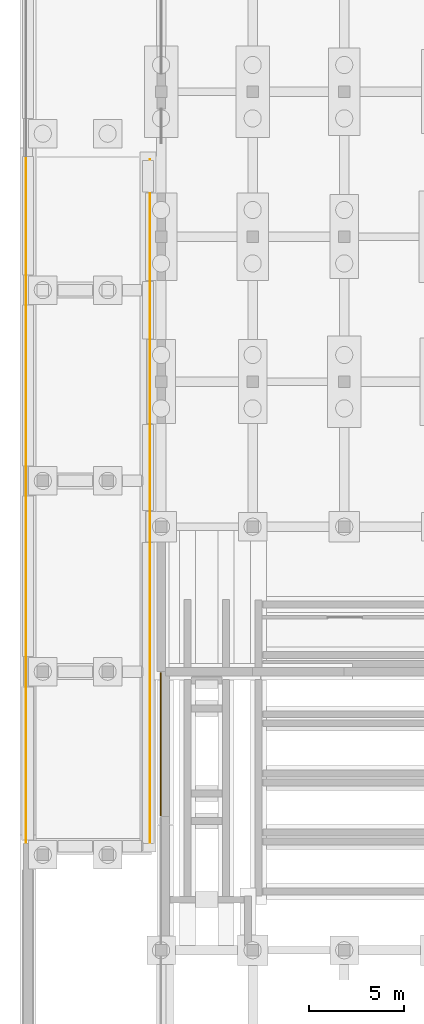
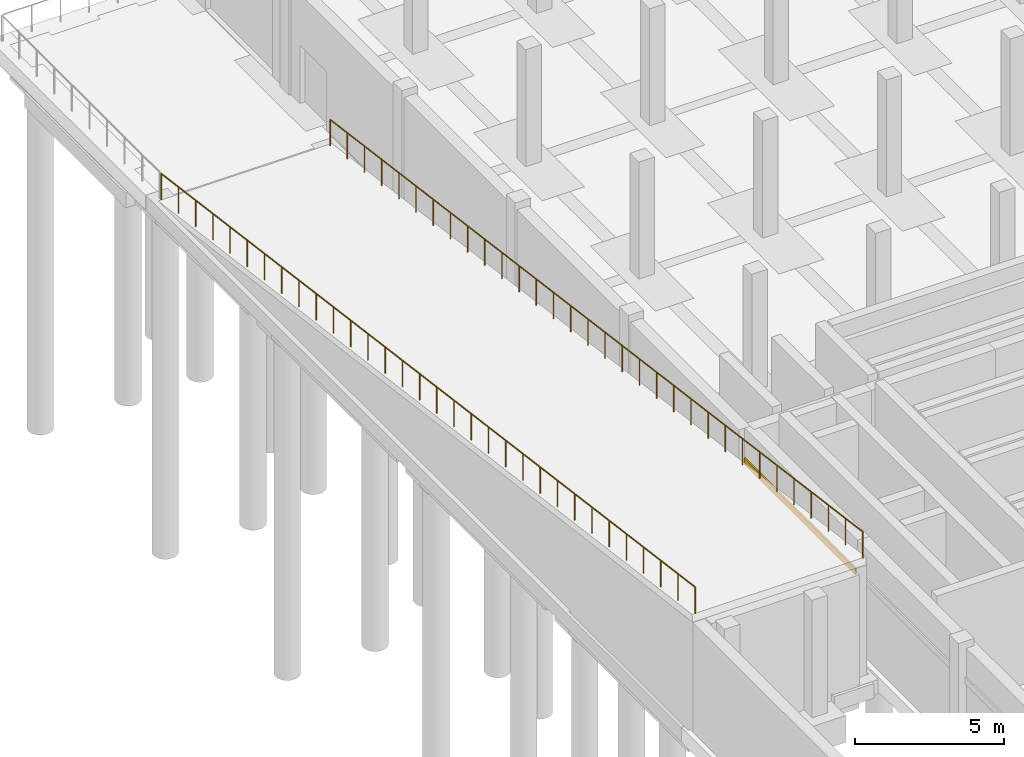
# One storey, part 46 of 50: 2 railings, 1 covering.
"""IFC4 building model written with IfcOpenShell, lengths in metres."""

from ifc_helpers import new_model, si_unit, direction, frame, origin, origin_2d, place, context, subcontext, project, spatial, rectangle, circle, extrude, material, layer, layer_set, type_object, element, save


model = new_model("IFC4")

# Units and contexts
model_context = context("Model", 3, precision=1e-05, world=origin(), true_north=direction((0.0, 1.0)))
body_context = subcontext(model_context, "Body", "Model", "MODEL_VIEW")
ifc_project = project(units=[si_unit("LENGTHUNIT", "METRE"), si_unit("AREAUNIT", "SQUARE_METRE"), si_unit("VOLUMEUNIT", "CUBIC_METRE"), si_unit("PLANEANGLEUNIT", "RADIAN"), si_unit("MASSUNIT", "GRAM", prefix="KILO")], contexts=[model_context])

# Site, building, storey
site_placement = place(None, origin())
site = spatial("IfcSite", under=ifc_project, at=site_placement, CompositionType="ELEMENT")
building_placement = place(site_placement, origin())
building = spatial("IfcBuilding", under=site, at=building_placement, Name="Vekula Escarpment Museum", CompositionType="ELEMENT")
storey_placement = place(building_placement, frame((0.0, 0.0, -4.800048828125)))
storey = spatial("IfcBuildingStorey", under=building, at=storey_placement, Name="B1", CompositionType="ELEMENT", Elevation=-4.800048828125)

# Covering
ifc_material_1 = material(Name="Polychrome limestone almasik string-course band", Category="masonry")
ifc_layer = layer(ifc_material_1, 0.06005859375)
ifc_layer_set = layer_set([ifc_layer], Name="Polychrome limestone almasik string-course band")
covering_type = type_object("IfcCoveringType", Name="COV-ALM-BAND", PredefinedType="CLADDING", material=ifc_layer_set)
covering_placement = place(storey_placement, frame((-0.02587890625, 94.199951171875, 3.06982421875), z_axis=(0.0, 0.0, 1.0), x_axis=(0.0, 1.0, 0.0)))
element("IfcCovering", 1, at=covering_placement, inside=storey, type_object=covering_type, Name="Plinth Almasik Stone Band 0762", PredefinedType="CLADDING", context=body_context, shape_type="SweptSolid", body=[
    extrude(rectangle(XDim=7.47998046875, YDim=0.06005859375, at=origin_2d()), origin(), (0.0, 0.0, 1.0), 0.260009765625),
])

# Railings
ifc_material_2 = material(Name="Bronze-coated Steel S355 balustrade", Category="steel")
railing_type = type_object("IfcRailingType", Name="RL-TER-GUARD", PredefinedType="GUARDRAIL", material=ifc_material_2)
railing_1_placement = place(storey_placement, frame((-7.080078125, 89.050048828125, 4.800048828125)))
element("IfcRailing", 2, at=railing_1_placement, inside=storey, type_object=railing_type, Name="Vehicle Ramp Guardrail RL-VRAMP-W", PredefinedType="GUARDRAIL", context=body_context, shape_type="SweptSolid", body=[
    extrude(circle(Radius=0.02392578125, at=origin_2d()), frame((0.0, 0.0, 1.076171875), z_axis=(0.0, 0.991179384121, -0.132527085886), x_axis=(-1.0, 0.0, 0.0)), (0.0, 0.0, 1.0), 36.219482421875),
    extrude(circle(Radius=0.02099609375, at=origin_2d()), origin(), (0.0, 0.0, 1.0), 1.052001953125),
    extrude(circle(Radius=0.02099609375, at=origin_2d()), frame((0.0, 1.157958984375, -0.15478515625)), (0.0, 0.0, 1.0), 1.052001953125),
    extrude(circle(Radius=0.02099609375, at=origin_2d()), frame((0.0, 2.316162109375, -0.3095703125)), (0.0, 0.0, 1.0), 1.052001953125),
    extrude(circle(Radius=0.02099609375, at=origin_2d()), frame((0.0, 3.47412109375, -0.464599609375)), (0.0, 0.0, 1.0), 1.052001953125),
    extrude(circle(Radius=0.02099609375, at=origin_2d()), frame((0.0, 4.63232421875, -0.619384765625)), (0.0, 0.0, 1.0), 1.052001953125),
    extrude(circle(Radius=0.02099609375, at=origin_2d()), frame((0.0, 5.790283203125, -0.774169921875)), (0.0, 0.0, 1.0), 1.052001953125),
    extrude(circle(Radius=0.02099609375, at=origin_2d()), frame((0.0, 6.948486328125, -0.928955078125)), (0.0, 0.0, 1.0), 1.052001953125),
    extrude(circle(Radius=0.02099609375, at=origin_2d()), frame((0.0, 8.1064453125, -1.083984375)), (0.0, 0.0, 1.0), 1.052001953125),
    extrude(circle(Radius=0.02099609375, at=origin_2d()), frame((0.0, 9.264404296875, -1.23876953125)), (0.0, 0.0, 1.0), 1.052001953125),
    extrude(circle(Radius=0.02099609375, at=origin_2d()), frame((0.0, 10.422607421875, -1.3935546875)), (0.0, 0.0, 1.0), 1.052001953125),
    extrude(circle(Radius=0.02099609375, at=origin_2d()), frame((0.0, 11.58056640625, -1.54833984375)), (0.0, 0.0, 1.0), 1.052001953125),
    extrude(circle(Radius=0.02099609375, at=origin_2d()), frame((0.0, 12.73876953125, -1.703125)), (0.0, 0.0, 1.0), 1.052001953125),
    extrude(circle(Radius=0.02099609375, at=origin_2d()), frame((0.0, 13.896728515625, -1.858154296875)), (0.0, 0.0, 1.0), 1.052001953125),
    extrude(circle(Radius=0.02099609375, at=origin_2d()), frame((0.0, 15.0546875, -2.012939453125)), (0.0, 0.0, 1.0), 1.052001953125),
    extrude(circle(Radius=0.02099609375, at=origin_2d()), frame((0.0, 16.212890625, -2.167724609375)), (0.0, 0.0, 1.0), 1.052001953125),
    extrude(circle(Radius=0.02099609375, at=origin_2d()), frame((0.0, 17.370849609375, -2.322509765625)), (0.0, 0.0, 1.0), 1.052001953125),
    extrude(circle(Radius=0.02099609375, at=origin_2d()), frame((0.0, 18.529052734375, -2.4775390625)), (0.0, 0.0, 1.0), 1.052001953125),
    extrude(circle(Radius=0.02099609375, at=origin_2d()), frame((0.0, 19.68701171875, -2.63232421875)), (0.0, 0.0, 1.0), 1.052001953125),
    extrude(circle(Radius=0.02099609375, at=origin_2d()), frame((0.0, 20.84521484375, -2.787109375)), (0.0, 0.0, 1.0), 1.052001953125),
    extrude(circle(Radius=0.02099609375, at=origin_2d()), frame((0.0, 22.003173828125, -2.94189453125)), (0.0, 0.0, 1.0), 1.052001953125),
    extrude(circle(Radius=0.02099609375, at=origin_2d()), frame((0.0, 23.1611328125, -3.096923828125)), (0.0, 0.0, 1.0), 1.052001953125),
    extrude(circle(Radius=0.02099609375, at=origin_2d()), frame((0.0, 24.3193359375, -3.251708984375)), (0.0, 0.0, 1.0), 1.052001953125),
    extrude(circle(Radius=0.02099609375, at=origin_2d()), frame((0.0, 25.477294921875, -3.406494140625)), (0.0, 0.0, 1.0), 1.052001953125),
    extrude(circle(Radius=0.02099609375, at=origin_2d()), frame((0.0, 26.635498046875, -3.561279296875)), (0.0, 0.0, 1.0), 1.052001953125),
    extrude(circle(Radius=0.02099609375, at=origin_2d()), frame((0.0, 27.79345703125, -3.716064453125)), (0.0, 0.0, 1.0), 1.052001953125),
    extrude(circle(Radius=0.02099609375, at=origin_2d()), frame((0.0, 28.951416015625, -3.87109375)), (0.0, 0.0, 1.0), 1.052001953125),
    extrude(circle(Radius=0.02099609375, at=origin_2d()), frame((0.0, 30.109619140625, -4.02587890625)), (0.0, 0.0, 1.0), 1.052001953125),
    extrude(circle(Radius=0.02099609375, at=origin_2d()), frame((0.0, 31.267578125, -4.1806640625)), (0.0, 0.0, 1.0), 1.052001953125),
    extrude(circle(Radius=0.02099609375, at=origin_2d()), frame((0.0, 32.42578125, -4.33544921875)), (0.0, 0.0, 1.0), 1.052001953125),
    extrude(circle(Radius=0.02099609375, at=origin_2d()), frame((0.0, 33.583740234375, -4.490478515625)), (0.0, 0.0, 1.0), 1.052001953125),
    extrude(circle(Radius=0.02099609375, at=origin_2d()), frame((0.0, 34.741943359375, -4.645263671875)), (0.0, 0.0, 1.0), 1.052001953125),
    extrude(circle(Radius=0.02099609375, at=origin_2d()), frame((0.0, 35.89990234375, -4.800048828125)), (0.0, 0.0, 1.0), 1.052001953125),
])
railing_2_placement = place(storey_placement, frame((-0.580078125, 89.050048828125, 4.800048828125)))
element("IfcRailing", 3, at=railing_2_placement, inside=storey, type_object=railing_type, Name="Vehicle Ramp Guardrail RL-VRAMP-E", PredefinedType="GUARDRAIL", context=body_context, shape_type="SweptSolid", body=[
    extrude(circle(Radius=0.02392578125, at=origin_2d()), frame((0.0, 0.0, 1.076171875), z_axis=(0.0, 0.991130764162, -0.132890211571), x_axis=(-1.0, 0.0, 0.0)), (0.0, 0.0, 1.0), 36.120361328125),
    extrude(circle(Radius=0.02099609375, at=origin_2d()), origin(), (0.0, 0.0, 1.0), 1.052001953125),
    extrude(circle(Radius=0.02099609375, at=origin_2d()), frame((0.0, 1.15478515625, -0.15478515625)), (0.0, 0.0, 1.0), 1.052001953125),
    extrude(circle(Radius=0.02099609375, at=origin_2d()), frame((0.0, 2.3095703125, -0.3095703125)), (0.0, 0.0, 1.0), 1.052001953125),
    extrude(circle(Radius=0.02099609375, at=origin_2d()), frame((0.0, 3.464599609375, -0.464599609375)), (0.0, 0.0, 1.0), 1.052001953125),
    extrude(circle(Radius=0.02099609375, at=origin_2d()), frame((0.0, 4.619384765625, -0.619384765625)), (0.0, 0.0, 1.0), 1.052001953125),
    extrude(circle(Radius=0.02099609375, at=origin_2d()), frame((0.0, 5.774169921875, -0.774169921875)), (0.0, 0.0, 1.0), 1.052001953125),
    extrude(circle(Radius=0.02099609375, at=origin_2d()), frame((0.0, 6.928955078125, -0.928955078125)), (0.0, 0.0, 1.0), 1.052001953125),
    extrude(circle(Radius=0.02099609375, at=origin_2d()), frame((0.0, 8.083984375, -1.083984375)), (0.0, 0.0, 1.0), 1.052001953125),
    extrude(circle(Radius=0.02099609375, at=origin_2d()), frame((0.0, 9.23876953125, -1.23876953125)), (0.0, 0.0, 1.0), 1.052001953125),
    extrude(circle(Radius=0.02099609375, at=origin_2d()), frame((0.0, 10.3935546875, -1.3935546875)), (0.0, 0.0, 1.0), 1.052001953125),
    extrude(circle(Radius=0.02099609375, at=origin_2d()), frame((0.0, 11.54833984375, -1.54833984375)), (0.0, 0.0, 1.0), 1.052001953125),
    extrude(circle(Radius=0.02099609375, at=origin_2d()), frame((0.0, 12.703125, -1.703125)), (0.0, 0.0, 1.0), 1.052001953125),
    extrude(circle(Radius=0.02099609375, at=origin_2d()), frame((0.0, 13.858154296875, -1.858154296875)), (0.0, 0.0, 1.0), 1.052001953125),
    extrude(circle(Radius=0.02099609375, at=origin_2d()), frame((0.0, 15.012939453125, -2.012939453125)), (0.0, 0.0, 1.0), 1.052001953125),
    extrude(circle(Radius=0.02099609375, at=origin_2d()), frame((0.0, 16.167724609375, -2.167724609375)), (0.0, 0.0, 1.0), 1.052001953125),
    extrude(circle(Radius=0.02099609375, at=origin_2d()), frame((0.0, 17.322509765625, -2.322509765625)), (0.0, 0.0, 1.0), 1.052001953125),
    extrude(circle(Radius=0.02099609375, at=origin_2d()), frame((0.0, 18.4775390625, -2.4775390625)), (0.0, 0.0, 1.0), 1.052001953125),
    extrude(circle(Radius=0.02099609375, at=origin_2d()), frame((0.0, 19.63232421875, -2.63232421875)), (0.0, 0.0, 1.0), 1.052001953125),
    extrude(circle(Radius=0.02099609375, at=origin_2d()), frame((0.0, 20.787109375, -2.787109375)), (0.0, 0.0, 1.0), 1.052001953125),
    extrude(circle(Radius=0.02099609375, at=origin_2d()), frame((0.0, 21.94189453125, -2.94189453125)), (0.0, 0.0, 1.0), 1.052001953125),
    extrude(circle(Radius=0.02099609375, at=origin_2d()), frame((0.0, 23.096923828125, -3.096923828125)), (0.0, 0.0, 1.0), 1.052001953125),
    extrude(circle(Radius=0.02099609375, at=origin_2d()), frame((0.0, 24.251708984375, -3.251708984375)), (0.0, 0.0, 1.0), 1.052001953125),
    extrude(circle(Radius=0.02099609375, at=origin_2d()), frame((0.0, 25.406494140625, -3.406494140625)), (0.0, 0.0, 1.0), 1.052001953125),
    extrude(circle(Radius=0.02099609375, at=origin_2d()), frame((0.0, 26.561279296875, -3.561279296875)), (0.0, 0.0, 1.0), 1.052001953125),
    extrude(circle(Radius=0.02099609375, at=origin_2d()), frame((0.0, 27.716064453125, -3.716064453125)), (0.0, 0.0, 1.0), 1.052001953125),
    extrude(circle(Radius=0.02099609375, at=origin_2d()), frame((0.0, 28.87109375, -3.87109375)), (0.0, 0.0, 1.0), 1.052001953125),
    extrude(circle(Radius=0.02099609375, at=origin_2d()), frame((0.0, 30.02587890625, -4.02587890625)), (0.0, 0.0, 1.0), 1.052001953125),
    extrude(circle(Radius=0.02099609375, at=origin_2d()), frame((0.0, 31.1806640625, -4.1806640625)), (0.0, 0.0, 1.0), 1.052001953125),
    extrude(circle(Radius=0.02099609375, at=origin_2d()), frame((0.0, 32.33544921875, -4.33544921875)), (0.0, 0.0, 1.0), 1.052001953125),
    extrude(circle(Radius=0.02099609375, at=origin_2d()), frame((0.0, 33.490478515625, -4.490478515625)), (0.0, 0.0, 1.0), 1.052001953125),
    extrude(circle(Radius=0.02099609375, at=origin_2d()), frame((0.0, 34.645263671875, -4.645263671875)), (0.0, 0.0, 1.0), 1.052001953125),
    extrude(circle(Radius=0.02099609375, at=origin_2d()), frame((0.0, 35.800048828125, -4.800048828125)), (0.0, 0.0, 1.0), 1.052001953125),
])

save(model, "model.ifc")
